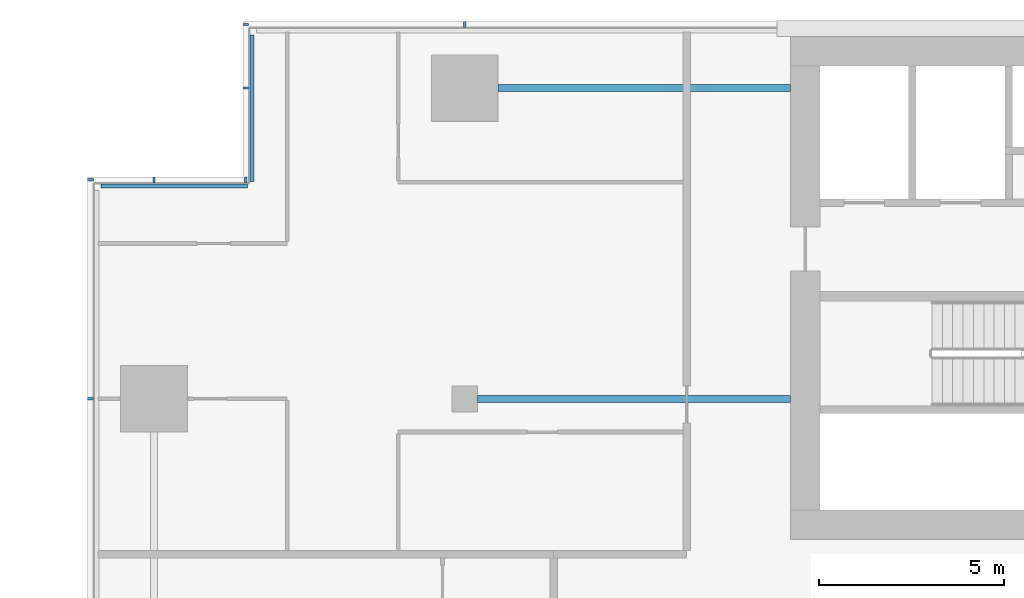
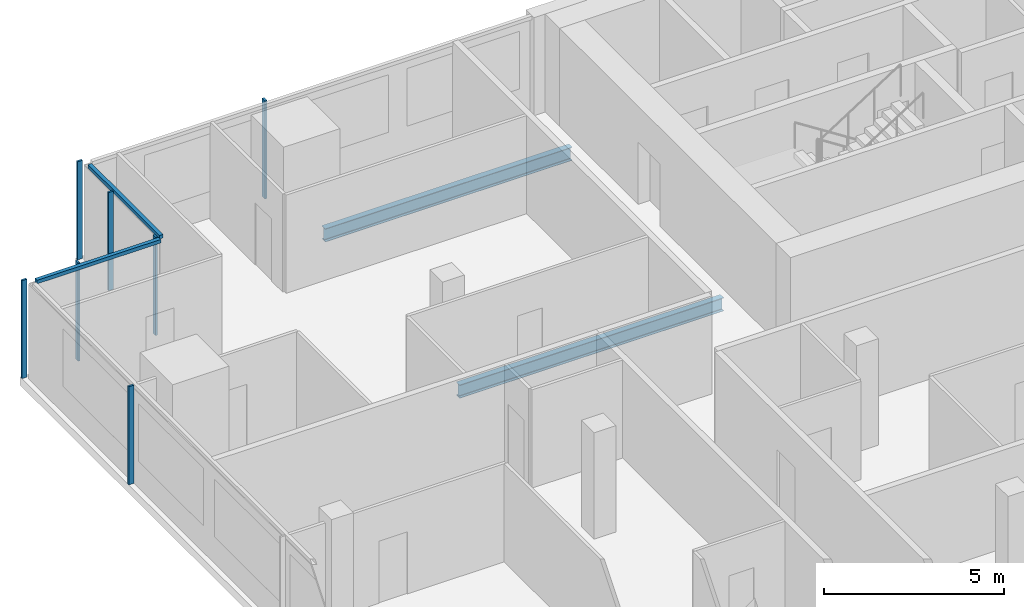
# One storey, part 7 of 29: 9 members, 2 beams, 4 elements without a shape of their own.
"""IFC4 building model written with IfcOpenShell, lengths in metres."""

import ifcopenshell
import ifcopenshell.guid

model = None  # the IFC model being written
_history = None  # IfcOwnerHistory: only IFC2X3 demands one
_inside = {}  # id of a spatial element -> (the spatial element, [elements in it])
_under = {}  # id of a project, library or spatial element -> (it, [spatial elements below it])
_declared = {}  # id of a project -> (the project, [libraries it declares])
_typed = {}  # id of a type object -> (the type object, [elements of that type])
_made_of = {}  # id of a material, layer set ... -> (it, [elements and type objects made of it])


def new_model(schema):
    """Start an empty IFC model of exactly this schema.

    Asked for "IFC4X3", IfcOpenShell would pick the latest addendum, in which some entities
    have other attributes; the version numbers below select the first issue.
    IFC2X3 requires an IfcOwnerHistory on every rooted entity: one is made here for all.
    """
    global model, _history
    if schema == "IFC4X3":
        model = ifcopenshell.file(schema_version=(4, 3, 0, 0))
    else:
        model = ifcopenshell.file(schema=schema)
    _inside.clear()
    _under.clear()
    _declared.clear()
    _typed.clear()
    _made_of.clear()
    _history = None
    if model.schema == "IFC2X3":
        org = make("IfcOrganization", Name="unknown")
        user = make(
            "IfcPersonAndOrganization",
            ThePerson=make("IfcPerson", FamilyName="unknown"),
            TheOrganization=org,
        )
        app = make(
            "IfcApplication",
            ApplicationDeveloper=org,
            Version="unknown",
            ApplicationFullName="unknown",
            ApplicationIdentifier="unknown",
        )
        _history = make(
            "IfcOwnerHistory",
            OwningUser=user,
            OwningApplication=app,
            ChangeAction="ADDED",
            CreationDate=0,
        )
    return model


def make(cls, **values):
    """One entity of the class cls with the attributes given. An attribute that is None is left unset."""
    return model.create_entity(
        cls, **{name: value for name, value in values.items() if value is not None}
    )


def rooted(cls, **values):
    """An entity with a GlobalId (a new one), such as an element, a storey or a relation."""
    return make(cls, GlobalId=ifcopenshell.guid.new(), OwnerHistory=_history, **values)


def si_unit(unit_type, name, prefix=None):
    """IfcSIUnit, for example si_unit("LENGTHUNIT", "METRE", prefix="MILLI")."""
    return make("IfcSIUnit", UnitType=unit_type, Prefix=prefix, Name=name)


def assignment(units):
    """IfcUnitAssignment: the units of a project."""
    return None if units is None else make("IfcUnitAssignment", Units=units)


def point(xyz):
    """IfcCartesianPoint."""
    return None if xyz is None else make("IfcCartesianPoint", Coordinates=xyz)


def direction(xyz):
    """IfcDirection."""
    return None if xyz is None else make("IfcDirection", DirectionRatios=xyz)


def frame(location, z_axis=None, x_axis=None):
    """IfcAxis2Placement3D, a coordinate frame: its origin and axes. An axis left out is left unset."""
    return make(
        "IfcAxis2Placement3D",
        Location=point(location),
        Axis=direction(z_axis),
        RefDirection=direction(x_axis),
    )


def frame_2d(location, x_axis=None):
    """IfcAxis2Placement2D, a coordinate frame in the plane: its origin and x axis."""
    return make(
        "IfcAxis2Placement2D", Location=point(location), RefDirection=direction(x_axis)
    )


def origin():
    """The frame at (0, 0, 0) with its axes left unset."""
    return frame((0.0, 0.0, 0.0))


def origin_2d():
    """The frame at (0, 0) in the plane with its x axis left unset."""
    return frame_2d((0.0, 0.0))


def place(relative_to, where):
    """IfcLocalPlacement: puts the frame where relative to a parent placement (None: the world)."""
    return make(
        "IfcLocalPlacement", PlacementRelTo=relative_to, RelativePlacement=where
    )


def context(
    kind, dimensions, precision=None, world=None, true_north=None, identifier=None
):
    """IfcGeometricRepresentationContext, for example the 3D "Model" context."""
    return make(
        "IfcGeometricRepresentationContext",
        ContextIdentifier=identifier,
        ContextType=kind,
        CoordinateSpaceDimension=dimensions,
        Precision=precision,
        WorldCoordinateSystem=world,
        TrueNorth=true_north,
    )


def subcontext(parent, identifier, kind, view, scale=None):
    """IfcGeometricRepresentationSubContext, for example "Body" below "Model"."""
    return make(
        "IfcGeometricRepresentationSubContext",
        ContextIdentifier=identifier,
        ContextType=kind,
        ParentContext=parent,
        TargetScale=scale,
        TargetView=view,
    )


def project(units=None, contexts=None):
    """IfcProject with its units and contexts."""
    return rooted(
        "IfcProject",
        Name="project",
        RepresentationContexts=contexts,
        UnitsInContext=assignment(units),
    )


def spatial(cls, under=None, at=None, **own):
    """A site, building, storey or space (cls), placed at a placement, below another one or the project."""
    s = rooted(cls, ObjectPlacement=at, **own)
    if under is not None:
        _under.setdefault(under.id(), (under, []))[1].append(s)
    return s


def profile(cls, at=None, kind="AREA", **sizes):
    """A parametric profile (cls). Its sizes go by their IFC names, for example OverallWidth=200.0."""
    return make(cls, ProfileType=kind, Position=at, **sizes)


def rectangle(**sizes):
    """IfcRectangleProfileDef."""
    return profile("IfcRectangleProfileDef", **sizes)


def i_section(**sizes):
    """IfcIShapeProfileDef."""
    return profile("IfcIShapeProfileDef", **sizes)


def extrude(swept, where, along, depth):
    """IfcExtrudedAreaSolid: the profile swept, set in the frame where, extruded along a direction by depth."""
    return make(
        "IfcExtrudedAreaSolid",
        SweptArea=swept,
        Position=where,
        ExtrudedDirection=direction(along),
        Depth=depth,
    )


def shape(context_of_items, identifier, shape_type, items):
    """IfcShapeRepresentation: the items that make up one representation, for example the "Body"."""
    return make(
        "IfcShapeRepresentation",
        ContextOfItems=context_of_items,
        RepresentationIdentifier=identifier,
        RepresentationType=shape_type,
        Items=items,
    )


def material(Name=None, Category=None):
    """IfcMaterial."""
    return make("IfcMaterial", Name=Name, Category=Category)


def material_profile(
    of_material, cross_section, Name=None, Category=None, Priority=None
):
    """IfcMaterialProfile: a cross section and its material."""
    return make(
        "IfcMaterialProfile",
        Name=Name,
        Material=of_material,
        Profile=cross_section,
        Priority=Priority,
        Category=Category,
    )


def profile_set(profiles, Name=None, composite=None):
    """IfcMaterialProfileSet."""
    return make(
        "IfcMaterialProfileSet",
        Name=Name,
        MaterialProfiles=profiles,
        CompositeProfile=composite,
    )


def made_of(thing, what):
    """Note that an element or type object is made of a material, layer set ...; save() writes the relation."""
    if what is not None:
        _made_of.setdefault(what.id(), (what, []))[1].append(thing)
    return thing


def type_object(cls, material=None, **own):
    """A type object (cls), such as IfcWallType, which elements share."""
    return made_of(rooted(cls, **own), material)


def element(
    cls,
    number,
    at=None,
    inside=None,
    cuts=None,
    type_object=None,
    material=None,
    context=None,
    identifier="Body",
    shape_type=None,
    held_by="IfcProductDefinitionShape",
    body=None,
    shapes=None,
    **own,
):
    """One element of the class cls, such as IfcWall. Its Tag is "e" and its number.

    at: its placement. inside: the storey or other place that contains it. cuts: it is an
    opening in that element (IfcRelVoidsElement). A single representation is given by context,
    identifier, shape_type and body (its items); several are given by shapes. held_by: the class
    of the entity that holds the representations. save() writes the other relations.
    """
    e = rooted(cls, Tag="e%d" % number, ObjectPlacement=at, **own)
    if body is not None:
        shapes = [shape(context, identifier, shape_type, body)]
    if shapes is not None:
        e.Representation = make(held_by, Representations=shapes)
    if inside is not None:
        _inside.setdefault(inside.id(), (inside, []))[1].append(e)
    if cuts is not None:
        rooted(
            "IfcRelVoidsElement", RelatingBuildingElement=cuts, RelatedOpeningElement=e
        )
    if type_object is not None:
        _typed.setdefault(type_object.id(), (type_object, []))[1].append(e)
    return made_of(e, material)


def aggregate(whole, parts):
    """IfcRelAggregates: a whole, such as a stair, and the parts it consists of."""
    return rooted("IfcRelAggregates", RelatingObject=whole, RelatedObjects=parts)


def save(model, path):
    """Write the relations noted so far, then the file.

    IfcRelAggregates (storeys below a building ...), IfcRelContainedInSpatialStructure (elements
    in a storey), IfcRelDefinesByType, IfcRelAssociatesMaterial and IfcRelDeclares: one each for
    every whole, place, type object, material and project.
    """
    for whole, parts in _under.values():
        aggregate(whole, parts)
    for where, things in _inside.values():
        rooted(
            "IfcRelContainedInSpatialStructure",
            RelatedElements=things,
            RelatingStructure=where,
        )
    for kind, things in _typed.values():
        rooted("IfcRelDefinesByType", RelatedObjects=things, RelatingType=kind)
    for what, things in _made_of.values():
        rooted("IfcRelAssociatesMaterial", RelatedObjects=things, RelatingMaterial=what)
    for by, libraries in _declared.values():
        rooted("IfcRelDeclares", RelatingContext=by, RelatedDefinitions=libraries)
    model.write(path)


model = new_model("IFC4")

# Units and contexts
model_context = context("Model", 3, precision=1e-05, world=origin(), true_north=direction((0.0, 1.0)))
body_context = subcontext(model_context, "Body", "Model", "MODEL_VIEW")
ifc_project = project(units=[si_unit("LENGTHUNIT", "METRE"), si_unit("AREAUNIT", "SQUARE_METRE"), si_unit("VOLUMEUNIT", "CUBIC_METRE"), si_unit("PLANEANGLEUNIT", "RADIAN"), si_unit("MASSUNIT", "GRAM", prefix="KILO")], contexts=[model_context])

# Site, building, storey
site_placement = place(None, origin())
site = spatial("IfcSite", under=ifc_project, at=site_placement, CompositionType="ELEMENT")
building_placement = place(site_placement, origin())
building = spatial("IfcBuilding", under=site, at=building_placement, Name="Saffron Gate Tower", CompositionType="ELEMENT")
storey_placement = place(building_placement, frame((0.0, 0.0, 187.050048828125)))
storey = spatial("IfcBuildingStorey", under=building, at=storey_placement, Name="L46", CompositionType="ELEMENT", Elevation=187.050048828125)

# Beams
ifc_material_1 = material(Name="Structural steel S355", Category="steel")
ifc_material_profile_1 = material_profile(ifc_material_1, i_section(OverallWidth=0.18994140625, OverallDepth=0.449951171875, WebThickness=0.009521484375, FlangeThickness=0.0146484375, FilletRadius=0.02099609375, at=origin_2d()))
ifc_profile_set_1 = profile_set([ifc_material_profile_1], Name="Structural steel S355")
beam_type = type_object("IfcBeamType", Name="B6 IPE 450", PredefinedType="BEAM", material=ifc_profile_set_1)
beam_1_placement = place(storey_placement, frame((58.550048828125, 65.39990234375, -0.505126953125), z_axis=(1.0, 0.0, 0.0), x_axis=(0.0, 1.0, 0.0)))
element("IfcBeam", 1, at=beam_1_placement, inside=storey, type_object=beam_type, Name="B6 CORE TIE BEAM", PredefinedType="BEAM", context=body_context, shape_type="SweptSolid", body=[
    extrude(i_section(OverallWidth=0.18994140625, OverallDepth=0.449951171875, WebThickness=0.009521484375, FlangeThickness=0.0146484375, FilletRadius=0.02099609375, at=origin_2d()), origin(), (0.0, 0.0, 1.0), 8.449951171875),
])
beam_2_placement = place(storey_placement, frame((59.10009765625, 73.800048828125, -0.505126953125), z_axis=(1.0, 0.0, 0.0), x_axis=(0.0, 1.0, 0.0)))
element("IfcBeam", 2, at=beam_2_placement, inside=storey, type_object=beam_type, Name="B6 CORE TIE BEAM", PredefinedType="BEAM", context=body_context, shape_type="SweptSolid", body=[
    extrude(i_section(OverallWidth=0.18994140625, OverallDepth=0.449951171875, WebThickness=0.009521484375, FlangeThickness=0.0146484375, FilletRadius=0.02099609375, at=origin_2d()), origin(), (0.0, 0.0, 1.0), 7.89990234375),
])

# Curtain wall, members
ifc_material_2 = material(Name="Aluminium, bronze anodised", Category="aluminium")
curtain_wall_type_1 = type_object("IfcCurtainWallType", Name="CWS2 curtain wall side facades", PredefinedType="NOTDEFINED", material=ifc_material_2)
curtain_wall_1_placement = place(storey_placement, origin())
curtain_wall_1 = element("IfcCurtainWall", 3, at=curtain_wall_1_placement, inside=storey, type_object=curtain_wall_type_1, Name="CWS2 run 10", PredefinedType="NOTDEFINED")
ifc_material_profile_2 = material_profile(ifc_material_2, rectangle(XDim=0.159912109375, YDim=0.06005859375, at=origin_2d()))
ifc_profile_set_2 = profile_set([ifc_material_profile_2], Name="Aluminium, bronze anodised")
member_type_1 = type_object("IfcMemberType", Name="CWS2 mullion 60x160", PredefinedType="MULLION", material=ifc_profile_set_2)
member_1_placement = place(storey_placement, frame((48.080078125, 71.320068359375, 0.0), z_axis=(0.0, 0.0, 1.0), x_axis=(1.0, 0.0, 0.0)))
member_1 = element("IfcMember", 4, at=member_1_placement, type_object=member_type_1, Name="CWS2 mullion 1", PredefinedType="MULLION", context=body_context, shape_type="SweptSolid", body=[
    extrude(rectangle(XDim=0.159912109375, YDim=0.06005859375, at=origin_2d()), origin(), (0.0, 0.0, 1.0), 3.320068359375),
])
member_2_placement = place(storey_placement, frame((48.080078125, 65.39990234375, 0.0), z_axis=(0.0, 0.0, 1.0), x_axis=(1.0, 0.0, 0.0)))
member_2 = element("IfcMember", 5, at=member_2_placement, type_object=member_type_1, Name="CWS2 mullion 2", PredefinedType="MULLION", context=body_context, shape_type="SweptSolid", body=[
    extrude(rectangle(XDim=0.159912109375, YDim=0.06005859375, at=origin_2d()), origin(), (0.0, 0.0, 1.0), 3.320068359375),
])
aggregate(curtain_wall_1, [member_1, member_2])

# Curtain wall, member
curtain_wall_type_2 = type_object("IfcCurtainWallType", Name="CWS3 curtain wall rear facade", PredefinedType="NOTDEFINED", material=ifc_material_2)
curtain_wall_2_placement = place(storey_placement, origin())
curtain_wall_2 = element("IfcCurtainWall", 6, at=curtain_wall_2_placement, inside=storey, type_object=curtain_wall_type_2, Name="CWS3 run 7", PredefinedType="NOTDEFINED")
ifc_material_profile_3 = material_profile(ifc_material_2, rectangle(XDim=0.159912109375, YDim=0.070068359375, at=origin_2d()))
ifc_profile_set_3 = profile_set([ifc_material_profile_3], Name="Aluminium, bronze anodised")
member_type_2 = type_object("IfcMemberType", Name="CWS3 mullion 70x160", PredefinedType="MULLION", material=ifc_profile_set_3)
member_3_placement = place(storey_placement, frame((58.199951171875, 75.52001953125, 0.0), z_axis=(0.0, 0.0, 1.0), x_axis=(0.0, -1.0, 0.0)))
member_3 = element("IfcMember", 7, at=member_3_placement, type_object=member_type_2, Name="CWS3 mullion 9", PredefinedType="MULLION", context=body_context, shape_type="SweptSolid", body=[
    extrude(rectangle(XDim=0.159912109375, YDim=0.070068359375, at=origin_2d()), origin(), (0.0, 0.0, 1.0), 3.320068359375),
])
aggregate(curtain_wall_2, [member_3])

curtain_wall_type_3 = type_object("IfcCurtainWallType", Name="CWS4 curtain wall corner returns", PredefinedType="NOTDEFINED", material=ifc_material_2)
curtain_wall_3_placement = place(storey_placement, origin())
curtain_wall_3 = element("IfcCurtainWall", 8, at=curtain_wall_3_placement, inside=storey, type_object=curtain_wall_type_3, Name="CWS4 run 8", PredefinedType="NOTDEFINED")
ifc_material_profile_4 = material_profile(ifc_material_2, rectangle(XDim=0.1201171875, YDim=0.1201171875, at=origin_2d()))
ifc_profile_set_4 = profile_set([ifc_material_profile_4], Name="Aluminium, bronze anodised")
member_type_3 = type_object("IfcMemberType", Name="CWS4 head transom", PredefinedType="USERDEFINED", material=ifc_profile_set_4)
member_4_placement = place(storey_placement, frame((52.447998046875, 75.23193359375, 3.260009765625), z_axis=(0.0, -1.0, 0.0), x_axis=(1.0, 0.0, 0.0)))
member_4 = element("IfcMember", 9, at=member_4_placement, type_object=member_type_3, Name="CWS4 head transom", ObjectType="TRANSOM", PredefinedType="USERDEFINED", context=body_context, shape_type="SweptSolid", body=[
    extrude(rectangle(XDim=0.1201171875, YDim=0.1201171875, at=origin_2d()), origin(), (0.0, 0.0, 1.0), 3.9599609375),
])

curtain_wall_4_placement = place(storey_placement, origin())
curtain_wall_4 = element("IfcCurtainWall", 10, at=curtain_wall_4_placement, inside=storey, type_object=curtain_wall_type_3, Name="CWS4 run 9", PredefinedType="NOTDEFINED")
member_5_placement = place(storey_placement, frame((52.327880859375, 71.152099609375, 3.260009765625), z_axis=(-1.0, 0.0, 0.0), x_axis=(0.0, -1.0, 0.0)))
member_5 = element("IfcMember", 11, at=member_5_placement, type_object=member_type_3, Name="CWS4 head transom", ObjectType="TRANSOM", PredefinedType="USERDEFINED", context=body_context, shape_type="SweptSolid", body=[
    extrude(rectangle(XDim=0.1201171875, YDim=0.1201171875, at=origin_2d()), origin(), (0.0, 0.0, 1.0), 3.9599609375),
])

# Member
ifc_material_profile_5 = material_profile(ifc_material_2, rectangle(XDim=0.159912109375, YDim=0.06005859375, at=origin_2d()))
ifc_profile_set_5 = profile_set([ifc_material_profile_5], Name="Aluminium, bronze anodised")
member_type_4 = type_object("IfcMemberType", Name="CWS4 mullion 60x160", PredefinedType="MULLION", material=ifc_profile_set_5)
member_6_placement = place(storey_placement, frame((52.280029296875, 75.52001953125, 0.0), z_axis=(0.0, 0.0, 1.0), x_axis=(1.0, 0.0, 0.0)))
member_6 = element("IfcMember", 12, at=member_6_placement, type_object=member_type_4, Name="CWS4 mullion 1", PredefinedType="MULLION", context=body_context, shape_type="SweptSolid", body=[
    extrude(rectangle(XDim=0.159912109375, YDim=0.06005859375, at=origin_2d()), origin(), (0.0, 0.0, 1.0), 3.320068359375),
])

member_7_placement = place(storey_placement, frame((52.280029296875, 73.800048828125, 0.0), z_axis=(0.0, 0.0, 1.0), x_axis=(1.0, 0.0, 0.0)))
member_7 = element("IfcMember", 13, at=member_7_placement, type_object=member_type_4, Name="CWS4 mullion 2", PredefinedType="MULLION", context=body_context, shape_type="SweptSolid", body=[
    extrude(rectangle(XDim=0.159912109375, YDim=0.06005859375, at=origin_2d()), origin(), (0.0, 0.0, 1.0), 3.320068359375),
])

aggregate(curtain_wall_3, [member_6, member_7, member_4])

member_8_placement = place(storey_placement, frame((52.280029296875, 71.320068359375, 0.0), z_axis=(0.0, 0.0, 1.0), x_axis=(0.0, -1.0, 0.0)))
member_8 = element("IfcMember", 14, at=member_8_placement, type_object=member_type_4, Name="CWS4 mullion 1", PredefinedType="MULLION", context=body_context, shape_type="SweptSolid", body=[
    extrude(rectangle(XDim=0.159912109375, YDim=0.06005859375, at=origin_2d()), origin(), (0.0, 0.0, 1.0), 3.320068359375),
])

member_9_placement = place(storey_placement, frame((49.800048828125, 71.320068359375, 0.0), z_axis=(0.0, 0.0, 1.0), x_axis=(0.0, -1.0, 0.0)))
member_9 = element("IfcMember", 15, at=member_9_placement, type_object=member_type_4, Name="CWS4 mullion 2", PredefinedType="MULLION", context=body_context, shape_type="SweptSolid", body=[
    extrude(rectangle(XDim=0.159912109375, YDim=0.06005859375, at=origin_2d()), origin(), (0.0, 0.0, 1.0), 3.320068359375),
])

aggregate(curtain_wall_4, [member_8, member_9, member_5])

save(model, "model.ifc")
